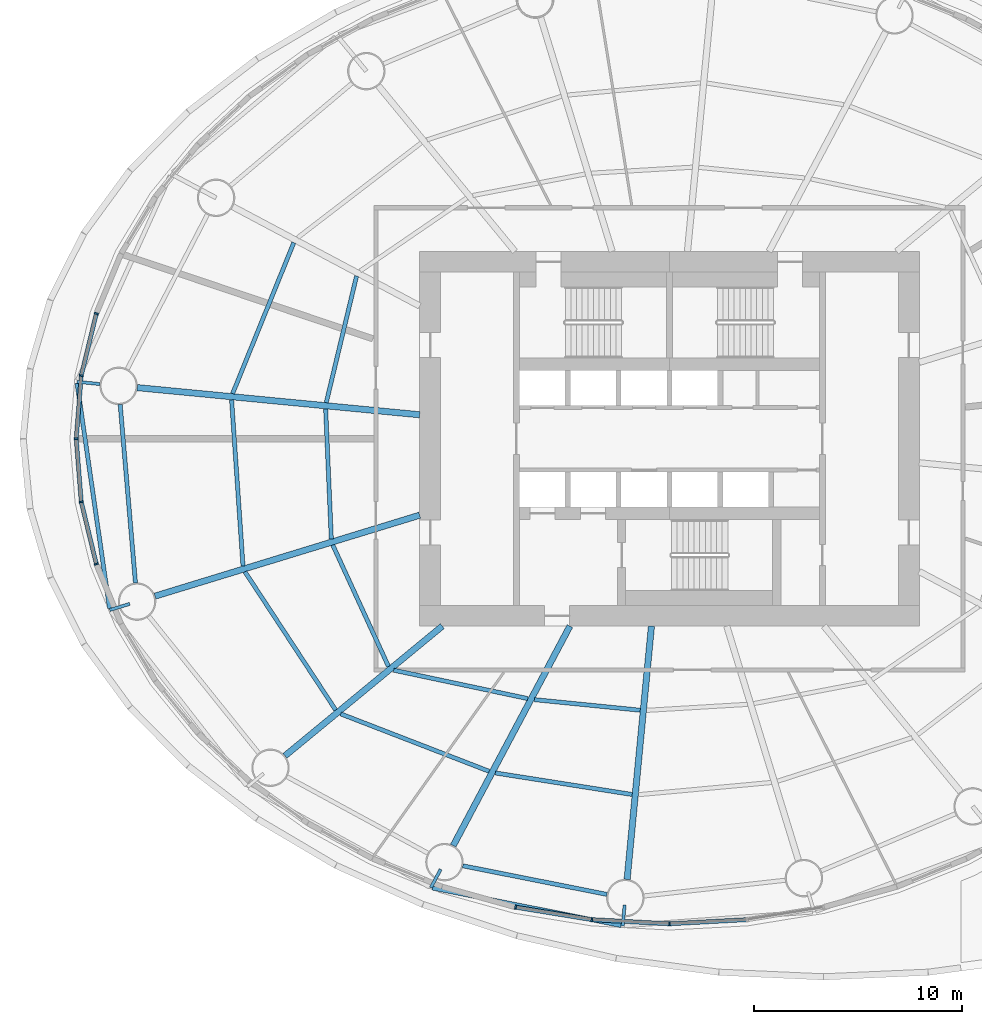
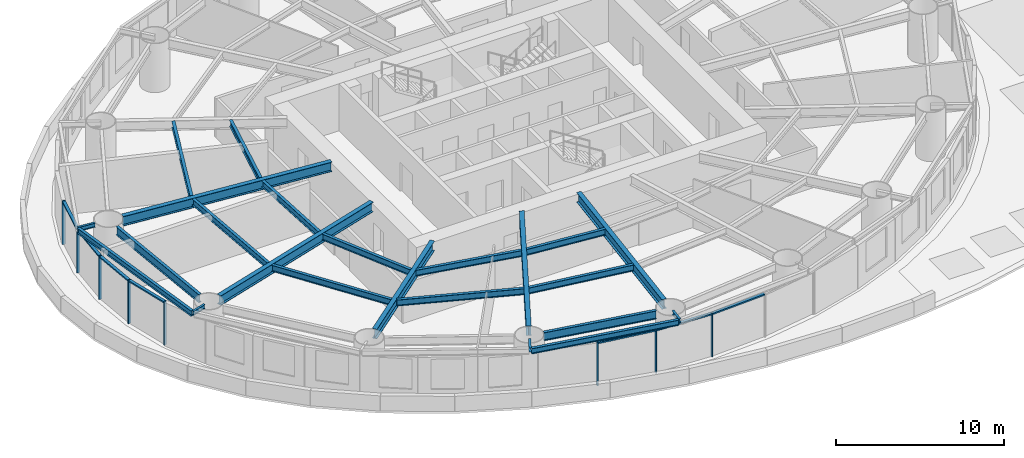
# One storey, part 2 of 11: 23 beams, 15 members, 7 elements without a shape of their own.
"""IFC4 building model written with IfcOpenShell, lengths in metres."""

import ifcopenshell
import ifcopenshell.guid

model = None  # the IFC model being written
_history = None  # IfcOwnerHistory: only IFC2X3 demands one
_inside = {}  # id of a spatial element -> (the spatial element, [elements in it])
_under = {}  # id of a project, library or spatial element -> (it, [spatial elements below it])
_declared = {}  # id of a project -> (the project, [libraries it declares])
_typed = {}  # id of a type object -> (the type object, [elements of that type])
_made_of = {}  # id of a material, layer set ... -> (it, [elements and type objects made of it])


def new_model(schema):
    """Start an empty IFC model of exactly this schema.

    Asked for "IFC4X3", IfcOpenShell would pick the latest addendum, in which some entities
    have other attributes; the version numbers below select the first issue.
    IFC2X3 requires an IfcOwnerHistory on every rooted entity: one is made here for all.
    """
    global model, _history
    if schema == "IFC4X3":
        model = ifcopenshell.file(schema_version=(4, 3, 0, 0))
    else:
        model = ifcopenshell.file(schema=schema)
    _inside.clear()
    _under.clear()
    _declared.clear()
    _typed.clear()
    _made_of.clear()
    _history = None
    if model.schema == "IFC2X3":
        org = make("IfcOrganization", Name="unknown")
        user = make(
            "IfcPersonAndOrganization",
            ThePerson=make("IfcPerson", FamilyName="unknown"),
            TheOrganization=org,
        )
        app = make(
            "IfcApplication",
            ApplicationDeveloper=org,
            Version="unknown",
            ApplicationFullName="unknown",
            ApplicationIdentifier="unknown",
        )
        _history = make(
            "IfcOwnerHistory",
            OwningUser=user,
            OwningApplication=app,
            ChangeAction="ADDED",
            CreationDate=0,
        )
    return model


def make(cls, **values):
    """One entity of the class cls with the attributes given. An attribute that is None is left unset."""
    return model.create_entity(
        cls, **{name: value for name, value in values.items() if value is not None}
    )


def rooted(cls, **values):
    """An entity with a GlobalId (a new one), such as an element, a storey or a relation."""
    return make(cls, GlobalId=ifcopenshell.guid.new(), OwnerHistory=_history, **values)


def si_unit(unit_type, name, prefix=None):
    """IfcSIUnit, for example si_unit("LENGTHUNIT", "METRE", prefix="MILLI")."""
    return make("IfcSIUnit", UnitType=unit_type, Prefix=prefix, Name=name)


def assignment(units):
    """IfcUnitAssignment: the units of a project."""
    return None if units is None else make("IfcUnitAssignment", Units=units)


def point(xyz):
    """IfcCartesianPoint."""
    return None if xyz is None else make("IfcCartesianPoint", Coordinates=xyz)


def direction(xyz):
    """IfcDirection."""
    return None if xyz is None else make("IfcDirection", DirectionRatios=xyz)


def frame(location, z_axis=None, x_axis=None):
    """IfcAxis2Placement3D, a coordinate frame: its origin and axes. An axis left out is left unset."""
    return make(
        "IfcAxis2Placement3D",
        Location=point(location),
        Axis=direction(z_axis),
        RefDirection=direction(x_axis),
    )


def frame_2d(location, x_axis=None):
    """IfcAxis2Placement2D, a coordinate frame in the plane: its origin and x axis."""
    return make(
        "IfcAxis2Placement2D", Location=point(location), RefDirection=direction(x_axis)
    )


def origin():
    """The frame at (0, 0, 0) with its axes left unset."""
    return frame((0.0, 0.0, 0.0))


def origin_2d():
    """The frame at (0, 0) in the plane with its x axis left unset."""
    return frame_2d((0.0, 0.0))


def place(relative_to, where):
    """IfcLocalPlacement: puts the frame where relative to a parent placement (None: the world)."""
    return make(
        "IfcLocalPlacement", PlacementRelTo=relative_to, RelativePlacement=where
    )


def context(
    kind, dimensions, precision=None, world=None, true_north=None, identifier=None
):
    """IfcGeometricRepresentationContext, for example the 3D "Model" context."""
    return make(
        "IfcGeometricRepresentationContext",
        ContextIdentifier=identifier,
        ContextType=kind,
        CoordinateSpaceDimension=dimensions,
        Precision=precision,
        WorldCoordinateSystem=world,
        TrueNorth=true_north,
    )


def subcontext(parent, identifier, kind, view, scale=None):
    """IfcGeometricRepresentationSubContext, for example "Body" below "Model"."""
    return make(
        "IfcGeometricRepresentationSubContext",
        ContextIdentifier=identifier,
        ContextType=kind,
        ParentContext=parent,
        TargetScale=scale,
        TargetView=view,
    )


def project(units=None, contexts=None):
    """IfcProject with its units and contexts."""
    return rooted(
        "IfcProject",
        Name="project",
        RepresentationContexts=contexts,
        UnitsInContext=assignment(units),
    )


def spatial(cls, under=None, at=None, **own):
    """A site, building, storey or space (cls), placed at a placement, below another one or the project."""
    s = rooted(cls, ObjectPlacement=at, **own)
    if under is not None:
        _under.setdefault(under.id(), (under, []))[1].append(s)
    return s


def profile(cls, at=None, kind="AREA", **sizes):
    """A parametric profile (cls). Its sizes go by their IFC names, for example OverallWidth=200.0."""
    return make(cls, ProfileType=kind, Position=at, **sizes)


def rectangle(**sizes):
    """IfcRectangleProfileDef."""
    return profile("IfcRectangleProfileDef", **sizes)


def i_section(**sizes):
    """IfcIShapeProfileDef."""
    return profile("IfcIShapeProfileDef", **sizes)


def extrude(swept, where, along, depth):
    """IfcExtrudedAreaSolid: the profile swept, set in the frame where, extruded along a direction by depth."""
    return make(
        "IfcExtrudedAreaSolid",
        SweptArea=swept,
        Position=where,
        ExtrudedDirection=direction(along),
        Depth=depth,
    )


def shape(context_of_items, identifier, shape_type, items):
    """IfcShapeRepresentation: the items that make up one representation, for example the "Body"."""
    return make(
        "IfcShapeRepresentation",
        ContextOfItems=context_of_items,
        RepresentationIdentifier=identifier,
        RepresentationType=shape_type,
        Items=items,
    )


def material(Name=None, Category=None):
    """IfcMaterial."""
    return make("IfcMaterial", Name=Name, Category=Category)


def material_profile(
    of_material, cross_section, Name=None, Category=None, Priority=None
):
    """IfcMaterialProfile: a cross section and its material."""
    return make(
        "IfcMaterialProfile",
        Name=Name,
        Material=of_material,
        Profile=cross_section,
        Priority=Priority,
        Category=Category,
    )


def profile_set(profiles, Name=None, composite=None):
    """IfcMaterialProfileSet."""
    return make(
        "IfcMaterialProfileSet",
        Name=Name,
        MaterialProfiles=profiles,
        CompositeProfile=composite,
    )


def made_of(thing, what):
    """Note that an element or type object is made of a material, layer set ...; save() writes the relation."""
    if what is not None:
        _made_of.setdefault(what.id(), (what, []))[1].append(thing)
    return thing


def type_object(cls, material=None, **own):
    """A type object (cls), such as IfcWallType, which elements share."""
    return made_of(rooted(cls, **own), material)


def element(
    cls,
    number,
    at=None,
    inside=None,
    cuts=None,
    type_object=None,
    material=None,
    context=None,
    identifier="Body",
    shape_type=None,
    held_by="IfcProductDefinitionShape",
    body=None,
    shapes=None,
    **own,
):
    """One element of the class cls, such as IfcWall. Its Tag is "e" and its number.

    at: its placement. inside: the storey or other place that contains it. cuts: it is an
    opening in that element (IfcRelVoidsElement). A single representation is given by context,
    identifier, shape_type and body (its items); several are given by shapes. held_by: the class
    of the entity that holds the representations. save() writes the other relations.
    """
    e = rooted(cls, Tag="e%d" % number, ObjectPlacement=at, **own)
    if body is not None:
        shapes = [shape(context, identifier, shape_type, body)]
    if shapes is not None:
        e.Representation = make(held_by, Representations=shapes)
    if inside is not None:
        _inside.setdefault(inside.id(), (inside, []))[1].append(e)
    if cuts is not None:
        rooted(
            "IfcRelVoidsElement", RelatingBuildingElement=cuts, RelatedOpeningElement=e
        )
    if type_object is not None:
        _typed.setdefault(type_object.id(), (type_object, []))[1].append(e)
    return made_of(e, material)


def aggregate(whole, parts):
    """IfcRelAggregates: a whole, such as a stair, and the parts it consists of."""
    return rooted("IfcRelAggregates", RelatingObject=whole, RelatedObjects=parts)


def save(model, path):
    """Write the relations noted so far, then the file.

    IfcRelAggregates (storeys below a building ...), IfcRelContainedInSpatialStructure (elements
    in a storey), IfcRelDefinesByType, IfcRelAssociatesMaterial and IfcRelDeclares: one each for
    every whole, place, type object, material and project.
    """
    for whole, parts in _under.values():
        aggregate(whole, parts)
    for where, things in _inside.values():
        rooted(
            "IfcRelContainedInSpatialStructure",
            RelatedElements=things,
            RelatingStructure=where,
        )
    for kind, things in _typed.values():
        rooted("IfcRelDefinesByType", RelatedObjects=things, RelatingType=kind)
    for what, things in _made_of.values():
        rooted("IfcRelAssociatesMaterial", RelatedObjects=things, RelatingMaterial=what)
    for by, libraries in _declared.values():
        rooted("IfcRelDeclares", RelatingContext=by, RelatedDefinitions=libraries)
    model.write(path)


model = new_model("IFC4")

# Units and contexts
model_context = context("Model", 3, precision=1e-05, world=origin(), true_north=direction((0.0, 1.0)))
body_context = subcontext(model_context, "Body", "Model", "MODEL_VIEW")
ifc_project = project(units=[si_unit("LENGTHUNIT", "METRE"), si_unit("AREAUNIT", "SQUARE_METRE"), si_unit("VOLUMEUNIT", "CUBIC_METRE"), si_unit("PLANEANGLEUNIT", "RADIAN"), si_unit("MASSUNIT", "GRAM", prefix="KILO")], contexts=[model_context])

# Site, building, storey
site_placement = place(None, origin())
site = spatial("IfcSite", under=ifc_project, at=site_placement, CompositionType="ELEMENT")
building_placement = place(site_placement, origin())
building = spatial("IfcBuilding", under=site, at=building_placement, Name="Vermilion Reach Broadcast Tower", CompositionType="ELEMENT")
storey_placement = place(building_placement, frame((0.0, 0.0, 36.0)))
storey = spatial("IfcBuildingStorey", under=building, at=storey_placement, Name="L05", CompositionType="ELEMENT", Elevation=36.0)

# Beams
ifc_material_1 = material(Name="Steel S355J2", Category="steel")
ifc_material_profile_1 = material_profile(ifc_material_1, i_section(OverallWidth=0.199951171875, OverallDepth=0.39990234375, WebThickness=0.008056640625, FlangeThickness=0.012939453125, at=origin_2d()), Name="S355J2 HN 400x200x8x13")
ifc_profile_set_1 = profile_set([ifc_material_profile_1], Name="Steel S355J2")
beam_type_1 = type_object("IfcBeamType", Name="EB1 HN 400x200x8x13", PredefinedType="BEAM", material=ifc_profile_set_1)
beam_1_placement = place(storey_placement, frame((-34.45703125, 2.65966796875, 3.35009765625), z_axis=(0.142842030525, -0.98974549977, 0.0), x_axis=(0.98974549977, 0.142842030525, 0.0)))
element("IfcBeam", 1, at=beam_1_placement, inside=storey, type_object=beam_type_1, Name="Edge beam EB1-08", PredefinedType="BEAM", context=body_context, shape_type="SweptSolid", body=[
    extrude(i_section(OverallWidth=0.199951171875, OverallDepth=0.39990234375, WebThickness=0.008056640625, FlangeThickness=0.012939453125, at=origin_2d()), origin(), (0.0, 0.0, 1.0), 10.921630859375),
])
beam_2_placement = place(storey_placement, frame((-17.385498046875, -21.58203125, 3.35009765625), z_axis=(0.980799564765, -0.195018495933, 0.0), x_axis=(0.195018495933, 0.980799564765, 0.0)))
element("IfcBeam", 2, at=beam_2_placement, inside=storey, type_object=beam_type_1, Name="Edge beam EB1-11", PredefinedType="BEAM", context=body_context, shape_type="SweptSolid", body=[
    extrude(i_section(OverallWidth=0.199951171875, OverallDepth=0.39990234375, WebThickness=0.008056640625, FlangeThickness=0.012939453125, at=origin_2d()), origin(), (0.0, 0.0, 1.0), 9.240234375),
])
ifc_material_2 = material(Name="Steel S355J2", Category="steel")
ifc_material_profile_2 = material_profile(ifc_material_2, i_section(OverallWidth=0.300048828125, OverallDepth=0.699951171875, WebThickness=0.012939453125, FlangeThickness=0.02392578125, at=origin_2d()), Name="S355J2 HN 700x300x13x24")
ifc_profile_set_2 = profile_set([ifc_material_profile_2], Name="Steel S355J2")
beam_type_2 = type_object("IfcBeamType", Name="G1 HN 700x300x13x24", PredefinedType="BEAM", material=ifc_profile_set_2)
beam_3_placement = place(storey_placement, frame((-18.0, 1.1533203125, 3.199951171875), z_axis=(-0.995412178872, 0.095679643363, 0.0), x_axis=(-0.095679643363, -0.995412178872, 0.0)))
element("IfcBeam", 3, at=beam_3_placement, inside=storey, type_object=beam_type_2, Name="Girder G1-08", PredefinedType="BEAM", context=body_context, shape_type="SweptSolid", body=[
    extrude(i_section(OverallWidth=0.300048828125, OverallDepth=0.699951171875, WebThickness=0.012939453125, FlangeThickness=0.02392578125, at=origin_2d()), origin(), (0.0, 0.0, 1.0), 13.630859375),
])
beam_4_placement = place(storey_placement, frame((-18.0, -3.671142578125, 3.199951171875), z_axis=(-0.956255735186, -0.292531996409, 0.0), x_axis=(0.292531996409, -0.956255735186, 0.0)))
element("IfcBeam", 4, at=beam_4_placement, inside=storey, type_object=beam_type_2, Name="Girder G1-09", PredefinedType="BEAM", context=body_context, shape_type="SweptSolid", body=[
    extrude(i_section(OverallWidth=0.300048828125, OverallDepth=0.699951171875, WebThickness=0.012939453125, FlangeThickness=0.02392578125, at=origin_2d()), origin(), (0.0, 0.0, 1.0), 13.29638671875),
])
beam_5_placement = place(storey_placement, frame((-16.9140625, -9.0, 3.199951171875), z_axis=(-0.771514256373, -0.636212034005, 0.0), x_axis=(0.636212034005, -0.771514256373, 0.0)))
element("IfcBeam", 5, at=beam_5_placement, inside=storey, type_object=beam_type_2, Name="Girder G1-10", PredefinedType="BEAM", context=body_context, shape_type="SweptSolid", body=[
    extrude(i_section(OverallWidth=0.300048828125, OverallDepth=0.699951171875, WebThickness=0.012939453125, FlangeThickness=0.02392578125, at=origin_2d()), origin(), (0.0, 0.0, 1.0), 9.796142578125),
])
beam_6_placement = place(storey_placement, frame((-10.783447265625, -9.0, 3.199951171875), z_axis=(-0.469312182262, -0.883032318537, 0.0), x_axis=(0.883032318537, -0.469312182262, 0.0)))
element("IfcBeam", 6, at=beam_6_placement, inside=storey, type_object=beam_type_2, Name="Girder G1-11", PredefinedType="BEAM", context=body_context, shape_type="SweptSolid", body=[
    extrude(i_section(OverallWidth=0.300048828125, OverallDepth=0.699951171875, WebThickness=0.012939453125, FlangeThickness=0.02392578125, at=origin_2d()), origin(), (0.0, 0.0, 1.0), 11.94091796875),
])
beam_7_placement = place(storey_placement, frame((-6.864990234375, -9.0, 3.199951171875), z_axis=(-0.09566673912, -0.995413419151, 0.0), x_axis=(0.995413419151, -0.09566673912, 0.0)))
element("IfcBeam", 7, at=beam_7_placement, inside=storey, type_object=beam_type_2, Name="Girder G1-12", PredefinedType="BEAM", context=body_context, shape_type="SweptSolid", body=[
    extrude(i_section(OverallWidth=0.300048828125, OverallDepth=0.699951171875, WebThickness=0.012939453125, FlangeThickness=0.02392578125, at=origin_2d()), origin(), (0.0, 0.0, 1.0), 12.22412109375),
])
ifc_material_3 = material(Name="Steel S355J2", Category="steel")
ifc_material_profile_3 = material_profile(ifc_material_3, i_section(OverallWidth=0.14990234375, OverallDepth=0.300048828125, WebThickness=0.006591796875, FlangeThickness=0.009033203125, at=origin_2d()), Name="S355J2 HN 300x150x6.5x9")
ifc_profile_set_3 = profile_set([ifc_material_profile_3], Name="Steel S355J2")
beam_type_3 = type_object("IfcBeamType", Name="GS1 HN 300x150x6.5x9", PredefinedType="BEAM", material=ifc_profile_set_3)
beam_8_placement = place(storey_placement, frame((-33.360107421875, 2.629638671875, 3.39990234375), z_axis=(-0.995418265902, 0.095616295205, 0.0), x_axis=(-0.095616295205, -0.995418265902, 0.0)))
element("IfcBeam", 8, at=beam_8_placement, inside=storey, type_object=beam_type_3, Name="Cantilever stub GS1-08", PredefinedType="BEAM", context=body_context, shape_type="SweptSolid", body=[
    extrude(i_section(OverallWidth=0.14990234375, OverallDepth=0.300048828125, WebThickness=0.006591796875, FlangeThickness=0.009033203125, at=origin_2d()), origin(), (0.0, 0.0, 1.0), 1.11328125),
])
for number, where, z_axis, x_axis, name in (
    (9, (-31.929931640625, -7.9326171875, 3.39990234375), (-0.95627383467, -0.292472824594, 0.0), (0.292472824594, -0.95627383467, 0.0), "Cantilever stub GS1-09"),
    (10, (-16.9931640625, -20.683837890625, 3.39990234375), (-0.469244476458, -0.883068299348, 0.0), (0.883068299348, -0.469244476458, 0.0), "Cantilever stub GS1-11"),
    (11, (-8.1533203125, -22.4033203125, 3.39990234375), (-0.095707754417, -0.995409476419, 0.0), (0.995409476419, -0.095707754417, 0.0), "Cantilever stub GS1-12"),
):
    element("IfcBeam", number, at=place(storey_placement, frame(where, z_axis=z_axis, x_axis=x_axis)), inside=storey, type_object=beam_type_3, Name=name, PredefinedType="BEAM", context=body_context, shape_type="SweptSolid", body=[
        extrude(i_section(OverallWidth=0.14990234375, OverallDepth=0.300048828125, WebThickness=0.006591796875, FlangeThickness=0.009033203125, at=origin_2d()), origin(), (0.0, 0.0, 1.0), 1.0),
    ])
ifc_material_4 = material(Name="Steel S355J2", Category="steel")
ifc_material_profile_4 = material_profile(ifc_material_4, i_section(OverallWidth=0.199951171875, OverallDepth=0.60009765625, WebThickness=0.010986328125, FlangeThickness=0.01708984375, at=origin_2d()), Name="S355J2 HN 600x200x11x17")
ifc_profile_set_4 = profile_set([ifc_material_profile_4], Name="Steel S355J2")
beam_type_4 = type_object("IfcBeamType", Name="RB1 HN 600x200x11x17", PredefinedType="BEAM", material=ifc_profile_set_4)
beam_9_placement = place(storey_placement, frame((-32.38720703125, 1.646728515625, 3.25), z_axis=(0.085395508608, -0.996347131832, 0.0), x_axis=(0.996347131832, 0.085395508608, 0.0)))
element("IfcBeam", 12, at=beam_9_placement, inside=storey, type_object=beam_type_4, Name="Ring beam RB1-08", PredefinedType="BEAM", context=body_context, shape_type="SweptSolid", body=[
    extrude(i_section(OverallWidth=0.199951171875, OverallDepth=0.60009765625, WebThickness=0.010986328125, FlangeThickness=0.01708984375, at=origin_2d()), origin(), (0.0, 0.0, 1.0), 8.60546875),
])
beam_10_placement = place(storey_placement, frame((-15.927001953125, -20.51416015625, 3.25), z_axis=(0.980857717995, -0.194725799651, 0.0), x_axis=(0.194725799651, 0.980857717995, 0.0)))
element("IfcBeam", 13, at=beam_10_placement, inside=storey, type_object=beam_type_4, Name="Ring beam RB1-11", PredefinedType="BEAM", context=body_context, shape_type="SweptSolid", body=[
    extrude(i_section(OverallWidth=0.199951171875, OverallDepth=0.60009765625, WebThickness=0.010986328125, FlangeThickness=0.01708984375, at=origin_2d()), origin(), (0.0, 0.0, 1.0), 7.05859375),
])
ifc_material_5 = material(Name="Steel S355J2", Category="steel")
ifc_material_profile_5 = material_profile(ifc_material_5, i_section(OverallWidth=0.199951171875, OverallDepth=0.449951171875, WebThickness=0.009033203125, FlangeThickness=0.013916015625, at=origin_2d()), Name="S355J2 HN 450x200x9x14")
ifc_profile_set_5 = profile_set([ifc_material_profile_5], Name="Steel S355J2")
beam_type_5 = type_object("IfcBeamType", Name="SB1 HN 450x200x9x14", PredefinedType="BEAM", material=ifc_profile_set_5)
beam_11_placement = place(storey_placement, frame((-21.031005859375, 7.81884765625, 3.324951171875), z_axis=(-0.232844467589, -0.972513986487, 0.0), x_axis=(0.972513986487, -0.232844467589, 0.0)))
element("IfcBeam", 14, at=beam_11_placement, inside=storey, type_object=beam_type_5, Name="Secondary beam SB1-07-1", PredefinedType="BEAM", context=body_context, shape_type="SweptSolid", body=[
    extrude(i_section(OverallWidth=0.199951171875, OverallDepth=0.449951171875, WebThickness=0.009033203125, FlangeThickness=0.013916015625, at=origin_2d()), origin(), (0.0, 0.0, 1.0), 6.25537109375),
])
beam_12_placement = place(storey_placement, frame((-24.046630859375, 9.421630859375, 3.324951171875), z_axis=(-0.375640669938, -0.926765389453, 0.0), x_axis=(0.926765389453, -0.375640669938, 0.0)))
element("IfcBeam", 15, at=beam_12_placement, inside=storey, type_object=beam_type_5, Name="Secondary beam SB1-07-2", PredefinedType="BEAM", context=body_context, shape_type="SweptSolid", body=[
    extrude(i_section(OverallWidth=0.199951171875, OverallDepth=0.449951171875, WebThickness=0.009033203125, FlangeThickness=0.013916015625, at=origin_2d()), origin(), (0.0, 0.0, 1.0), 7.8271484375),
])
beam_13_placement = place(storey_placement, frame((-22.51611328125, 1.436767578125, 3.324951171875), z_axis=(0.043361007512, -0.999059469215, 0.0), x_axis=(0.999059469215, 0.043361007512, 0.0)))
element("IfcBeam", 16, at=beam_13_placement, inside=storey, type_object=beam_type_5, Name="Secondary beam SB1-08-1", PredefinedType="BEAM", context=body_context, shape_type="SweptSolid", body=[
    extrude(i_section(OverallWidth=0.199951171875, OverallDepth=0.449951171875, WebThickness=0.009033203125, FlangeThickness=0.013916015625, at=origin_2d()), origin(), (0.0, 0.0, 1.0), 6.25537109375),
])
beam_14_placement = place(storey_placement, frame((-27.03515625, 1.87109375, 3.324951171875), z_axis=(0.068507801475, -0.997650580683, 0.0), x_axis=(0.997650580683, 0.068507801475, 0.0)))
element("IfcBeam", 17, at=beam_14_placement, inside=storey, type_object=beam_type_5, Name="Secondary beam SB1-08-2", PredefinedType="BEAM", context=body_context, shape_type="SweptSolid", body=[
    extrude(i_section(OverallWidth=0.199951171875, OverallDepth=0.449951171875, WebThickness=0.009033203125, FlangeThickness=0.013916015625, at=origin_2d()), origin(), (0.0, 0.0, 1.0), 8.00048828125),
])
beam_15_placement = place(storey_placement, frame((-22.175048828125, -5.105224609375, 3.324951171875), z_axis=(0.417211452529, -0.908809443106, 0.0), x_axis=(0.908809443106, 0.417211452529, 0.0)))
element("IfcBeam", 18, at=beam_15_placement, inside=storey, type_object=beam_type_5, Name="Secondary beam SB1-09-1", PredefinedType="BEAM", context=body_context, shape_type="SweptSolid", body=[
    extrude(i_section(OverallWidth=0.199951171875, OverallDepth=0.449951171875, WebThickness=0.009033203125, FlangeThickness=0.013916015625, at=origin_2d()), origin(), (0.0, 0.0, 1.0), 6.41650390625),
])
beam_16_placement = place(storey_placement, frame((-26.390625, -6.394775390625, 3.324951171875), z_axis=(0.548800909102, -0.835953086105, 0.0), x_axis=(0.835953086105, 0.548800909102, 0.0)))
element("IfcBeam", 19, at=beam_16_placement, inside=storey, type_object=beam_type_5, Name="Secondary beam SB1-09-2", PredefinedType="BEAM", context=body_context, shape_type="SweptSolid", body=[
    extrude(i_section(OverallWidth=0.199951171875, OverallDepth=0.449951171875, WebThickness=0.009033203125, FlangeThickness=0.013916015625, at=origin_2d()), origin(), (0.0, 0.0, 1.0), 7.935791015625),
])
beam_17_placement = place(storey_placement, frame((-19.24560546875, -11.1171875, 3.324951171875), z_axis=(0.978270372412, -0.207333254596, 0.0), x_axis=(0.207333254596, 0.978270372412, 0.0)))
element("IfcBeam", 20, at=beam_17_placement, inside=storey, type_object=beam_type_5, Name="Secondary beam SB1-10-1", PredefinedType="BEAM", context=body_context, shape_type="SweptSolid", body=[
    extrude(i_section(OverallWidth=0.199951171875, OverallDepth=0.449951171875, WebThickness=0.009033203125, FlangeThickness=0.013916015625, at=origin_2d()), origin(), (0.0, 0.0, 1.0), 6.584716796875),
])
beam_18_placement = place(storey_placement, frame((-21.7919921875, -13.217041015625, 3.324951171875), z_axis=(0.932680743753, -0.360702966765, 0.0), x_axis=(0.360702966765, 0.932680743753, 0.0)))
element("IfcBeam", 21, at=beam_18_placement, inside=storey, type_object=beam_type_5, Name="Secondary beam SB1-10-2", PredefinedType="BEAM", context=body_context, shape_type="SweptSolid", body=[
    extrude(i_section(OverallWidth=0.199951171875, OverallDepth=0.449951171875, WebThickness=0.009033203125, FlangeThickness=0.013916015625, at=origin_2d()), origin(), (0.0, 0.0, 1.0), 7.646240234375),
])
beam_19_placement = place(storey_placement, frame((-12.490234375, -12.531005859375, 3.324951171875), z_axis=(0.995010199331, -0.099773259079, 0.0), x_axis=(0.099773259079, 0.995010199331, 0.0)))
element("IfcBeam", 22, at=beam_19_placement, inside=storey, type_object=beam_type_5, Name="Secondary beam SB1-11-1", PredefinedType="BEAM", context=body_context, shape_type="SweptSolid", body=[
    extrude(i_section(OverallWidth=0.199951171875, OverallDepth=0.449951171875, WebThickness=0.009033203125, FlangeThickness=0.013916015625, at=origin_2d()), origin(), (0.0, 0.0, 1.0), 5.111572265625),
])
beam_20_placement = place(storey_placement, frame((-14.36279296875, -16.05419921875, 3.324951171875), z_axis=(0.987829548379, -0.155540294938, 0.0), x_axis=(0.155540294938, 0.987829548379, 0.0)))
element("IfcBeam", 23, at=beam_20_placement, inside=storey, type_object=beam_type_5, Name="Secondary beam SB1-11-2", PredefinedType="BEAM", context=body_context, shape_type="SweptSolid", body=[
    extrude(i_section(OverallWidth=0.199951171875, OverallDepth=0.449951171875, WebThickness=0.009033203125, FlangeThickness=0.013916015625, at=origin_2d()), origin(), (0.0, 0.0, 1.0), 6.650634765625),
])

# Curtain wall, member
ifc_material_6 = material(Name="Low-e laminated clear glass in aluminium frame", Category="aluminium")
curtain_wall_type = type_object("IfcCurtainWallType", Name="Slot curtain wall", PredefinedType="NOTDEFINED", material=ifc_material_6)
placement = place(storey_placement, origin())
curtain_wall_1 = element("IfcCurtainWall", 24, at=placement, inside=storey, type_object=curtain_wall_type, Name="Slot curtain wall L05 22", PredefinedType="NOTDEFINED")
ifc_material_7 = material(Name="Anodised aluminium", Category="aluminium")
ifc_material_profile_6 = material_profile(ifc_material_7, rectangle(XDim=0.199951171875, YDim=0.080078125, at=origin_2d()), Name="Slot mullion 80 x 200")
ifc_profile_set_6 = profile_set([ifc_material_profile_6], Name="Anodised aluminium")
member_type_1 = type_object("IfcMemberType", Name="Slot mullion 80 x 200", PredefinedType="MULLION", material=ifc_profile_set_6)
member_1_placement = place(storey_placement, frame((-33.533447265625, 6.014892578125, 0.0), z_axis=(0.0, 0.0, 1.0), x_axis=(0.950659732599, -0.310235511852, 0.0)))
member_1 = element("IfcMember", 25, at=member_1_placement, type_object=member_type_1, Name="Slot mullion L05 22", PredefinedType="MULLION", context=body_context, shape_type="SweptSolid", body=[
    extrude(rectangle(XDim=0.199951171875, YDim=0.080078125, at=origin_2d()), origin(), (0.0, 0.0, 1.0), 3.14990234375),
])

curtain_wall_2 = element("IfcCurtainWall", 26, at=placement, inside=storey, type_object=curtain_wall_type, Name="Slot curtain wall L05 23", PredefinedType="NOTDEFINED")
member_2_placement = place(storey_placement, frame((-34.25732421875, 3.03271484375, 0.0), z_axis=(0.0, 0.0, 1.0), x_axis=(0.987389302651, -0.158310975649, 0.0)))
member_2 = element("IfcMember", 27, at=member_2_placement, type_object=member_type_1, Name="Slot mullion L05 23", PredefinedType="MULLION", context=body_context, shape_type="SweptSolid", body=[
    extrude(rectangle(XDim=0.199951171875, YDim=0.080078125, at=origin_2d()), origin(), (0.0, 0.0, 1.0), 3.14990234375),
])

curtain_wall_3 = element("IfcCurtainWall", 28, at=placement, inside=storey, type_object=curtain_wall_type, Name="Slot curtain wall L05 24", PredefinedType="NOTDEFINED")
member_3_placement = place(storey_placement, frame((-34.5, 0.0, 0.0), z_axis=(0.0, 0.0, 1.0), x_axis=(1.0, 0.0, 0.0)))
member_3 = element("IfcMember", 29, at=member_3_placement, type_object=member_type_1, Name="Slot mullion L05 24", PredefinedType="MULLION", context=body_context, shape_type="SweptSolid", body=[
    extrude(rectangle(XDim=0.199951171875, YDim=0.080078125, at=origin_2d()), origin(), (0.0, 0.0, 1.0), 3.14990234375),
])

# Curtain wall, members
curtain_wall_4 = element("IfcCurtainWall", 30, at=placement, inside=storey, type_object=curtain_wall_type, Name="Slot curtain wall L05 25", PredefinedType="NOTDEFINED")
member_4_placement = place(storey_placement, frame((-34.25732421875, -3.03271484375, 0.0), z_axis=(0.0, 0.0, 1.0), x_axis=(0.987389302651, 0.158310975649, 0.0)))
member_4 = element("IfcMember", 31, at=member_4_placement, type_object=member_type_1, Name="Slot mullion L05 25", PredefinedType="MULLION", context=body_context, shape_type="SweptSolid", body=[
    extrude(rectangle(XDim=0.199951171875, YDim=0.080078125, at=origin_2d()), origin(), (0.0, 0.0, 1.0), 3.14990234375),
])
member_5_placement = place(storey_placement, frame((-33.533447265625, -6.014892578125, 0.0), z_axis=(0.0, 0.0, 1.0), x_axis=(0.950659732599, 0.310235511852, 0.0)))
member_5 = element("IfcMember", 32, at=member_5_placement, type_object=member_type_1, Name="Slot mullion L05 26", PredefinedType="MULLION", context=body_context, shape_type="SweptSolid", body=[
    extrude(rectangle(XDim=0.199951171875, YDim=0.080078125, at=origin_2d()), origin(), (0.0, 0.0, 1.0), 3.14990234375),
])

# Curtain wall, member
curtain_wall_5 = element("IfcCurtainWall", 33, at=placement, inside=storey, type_object=curtain_wall_type, Name="Slot curtain wall L05 34", PredefinedType="NOTDEFINED")
member_6_placement = place(storey_placement, frame((-13.3896484375, -22.5029296875, 0.0), z_axis=(0.0, 0.0, 1.0), x_axis=(0.214752382861, 0.97666852824, 0.0)))
member_6 = element("IfcMember", 34, at=member_6_placement, type_object=member_type_1, Name="Slot mullion L05 34", PredefinedType="MULLION", context=body_context, shape_type="SweptSolid", body=[
    extrude(rectangle(XDim=0.199951171875, YDim=0.080078125, at=origin_2d()), origin(), (0.0, 0.0, 1.0), 3.14990234375),
])

curtain_wall_6 = element("IfcCurtainWall", 35, at=placement, inside=storey, type_object=curtain_wall_type, Name="Slot curtain wall L05 35", PredefinedType="NOTDEFINED")
member_7_placement = place(storey_placement, frame((-9.72705078125, -23.099853515625, 0.0), z_axis=(0.0, 0.0, 1.0), x_axis=(0.10740822796, 0.994215003189, 0.0)))
member_7 = element("IfcMember", 36, at=member_7_placement, type_object=member_type_1, Name="Slot mullion L05 35", PredefinedType="MULLION", context=body_context, shape_type="SweptSolid", body=[
    extrude(rectangle(XDim=0.199951171875, YDim=0.080078125, at=origin_2d()), origin(), (0.0, 0.0, 1.0), 3.14990234375),
])

curtain_wall_7 = element("IfcCurtainWall", 37, at=placement, inside=storey, type_object=curtain_wall_type, Name="Slot curtain wall L05 36", PredefinedType="NOTDEFINED")
member_8_placement = place(storey_placement, frame((-6.0, -23.300048828125, 0.0), z_axis=(0.0, 0.0, 1.0), x_axis=(0.0, 1.0, 0.0)))
member_8 = element("IfcMember", 38, at=member_8_placement, type_object=member_type_1, Name="Slot mullion L05 36", PredefinedType="MULLION", context=body_context, shape_type="SweptSolid", body=[
    extrude(rectangle(XDim=0.199951171875, YDim=0.080078125, at=origin_2d()), origin(), (0.0, 0.0, 1.0), 3.14990234375),
])

# Member
ifc_material_8 = material(Name="Anodised aluminium", Category="aluminium")
ifc_material_profile_7 = material_profile(ifc_material_8, rectangle(XDim=0.199951171875, YDim=0.10009765625, at=origin_2d()), Name="Slot transom 200 x 100")
ifc_profile_set_7 = profile_set([ifc_material_profile_7], Name="Anodised aluminium")
member_type_2 = type_object("IfcMemberType", Name="Slot transom 200 x 100", PredefinedType="USERDEFINED", material=ifc_profile_set_7)
member_9_placement = place(storey_placement, frame((-33.54296875, 5.97607421875, 3.10009765625), z_axis=(-0.235917983929, -0.971772969813, 0.0), x_axis=(0.971772969813, -0.235917983929, 0.0)))
member_9 = element("IfcMember", 39, at=member_9_placement, type_object=member_type_2, Name="Slot transom L05 22.1", ObjectType="TRANSOM", PredefinedType="USERDEFINED", context=body_context, shape_type="SweptSolid", body=[
    extrude(rectangle(XDim=0.199951171875, YDim=0.10009765625, at=origin_2d()), origin(), (0.0, 0.0, 1.0), 2.98876953125),
])

aggregate(curtain_wall_1, [member_1, member_9])

member_10_placement = place(storey_placement, frame((-34.260498046875, 2.992919921875, 3.10009765625), z_axis=(-0.079771425275, -0.99681318195, 0.0), x_axis=(0.99681318195, -0.079771425275, 0.0)))
member_10 = element("IfcMember", 40, at=member_10_placement, type_object=member_type_2, Name="Slot transom L05 23.1", ObjectType="TRANSOM", PredefinedType="USERDEFINED", context=body_context, shape_type="SweptSolid", body=[
    extrude(rectangle(XDim=0.199951171875, YDim=0.10009765625, at=origin_2d()), origin(), (0.0, 0.0, 1.0), 2.962646484375),
])

aggregate(curtain_wall_2, [member_2, member_10])

member_11_placement = place(storey_placement, frame((-34.496826171875, -0.039794921875, 3.10009765625), z_axis=(0.079771425275, -0.99681318195, 0.0), x_axis=(0.99681318195, 0.079771425275, 0.0)))
member_11 = element("IfcMember", 41, at=member_11_placement, type_object=member_type_2, Name="Slot transom L05 24.1", ObjectType="TRANSOM", PredefinedType="USERDEFINED", context=body_context, shape_type="SweptSolid", body=[
    extrude(rectangle(XDim=0.199951171875, YDim=0.10009765625, at=origin_2d()), origin(), (0.0, 0.0, 1.0), 2.962646484375),
])

aggregate(curtain_wall_3, [member_3, member_11])

member_12_placement = place(storey_placement, frame((-34.248046875, -3.07177734375, 3.10009765625), z_axis=(0.235917983929, -0.971772969813, 0.0), x_axis=(0.971772969813, 0.235917983929, 0.0)))
member_12 = element("IfcMember", 42, at=member_12_placement, type_object=member_type_2, Name="Slot transom L05 25.1", ObjectType="TRANSOM", PredefinedType="USERDEFINED", context=body_context, shape_type="SweptSolid", body=[
    extrude(rectangle(XDim=0.199951171875, YDim=0.10009765625, at=origin_2d()), origin(), (0.0, 0.0, 1.0), 2.98876953125),
])

aggregate(curtain_wall_4, [member_4, member_5, member_12])

member_13_placement = place(storey_placement, frame((-13.35009765625, -22.50927734375, 3.10009765625), z_axis=(0.986971040368, -0.160897997112, 0.0), x_axis=(0.160897997112, 0.986971040368, 0.0)))
member_13 = element("IfcMember", 43, at=member_13_placement, type_object=member_type_2, Name="Slot transom L05 34.1", ObjectType="TRANSOM", PredefinedType="USERDEFINED", context=body_context, shape_type="SweptSolid", body=[
    extrude(rectangle(XDim=0.199951171875, YDim=0.10009765625, at=origin_2d()), origin(), (0.0, 0.0, 1.0), 3.631103515625),
])

aggregate(curtain_wall_5, [member_6, member_13])

member_14_placement = place(storey_placement, frame((-9.68701171875, -23.10205078125, 3.10009765625), z_axis=(0.998561876476, -0.053611368653, 0.0), x_axis=(0.053611368653, 0.998561876476, 0.0)))
member_14 = element("IfcMember", 44, at=member_14_placement, type_object=member_type_2, Name="Slot transom L05 35.1", ObjectType="TRANSOM", PredefinedType="USERDEFINED", context=body_context, shape_type="SweptSolid", body=[
    extrude(rectangle(XDim=0.199951171875, YDim=0.10009765625, at=origin_2d()), origin(), (0.0, 0.0, 1.0), 3.65234375),
])

aggregate(curtain_wall_6, [member_7, member_14])

member_15_placement = place(storey_placement, frame((-5.9599609375, -23.2978515625, 3.10009765625), z_axis=(0.998561876476, 0.053611368653, 0.0), x_axis=(-0.053611368653, 0.998561876476, 0.0)))
member_15 = element("IfcMember", 45, at=member_15_placement, type_object=member_type_2, Name="Slot transom L05 36.1", ObjectType="TRANSOM", PredefinedType="USERDEFINED", context=body_context, shape_type="SweptSolid", body=[
    extrude(rectangle(XDim=0.199951171875, YDim=0.10009765625, at=origin_2d()), origin(), (0.0, 0.0, 1.0), 3.65234375),
])

aggregate(curtain_wall_7, [member_8, member_15])

save(model, "model.ifc")
